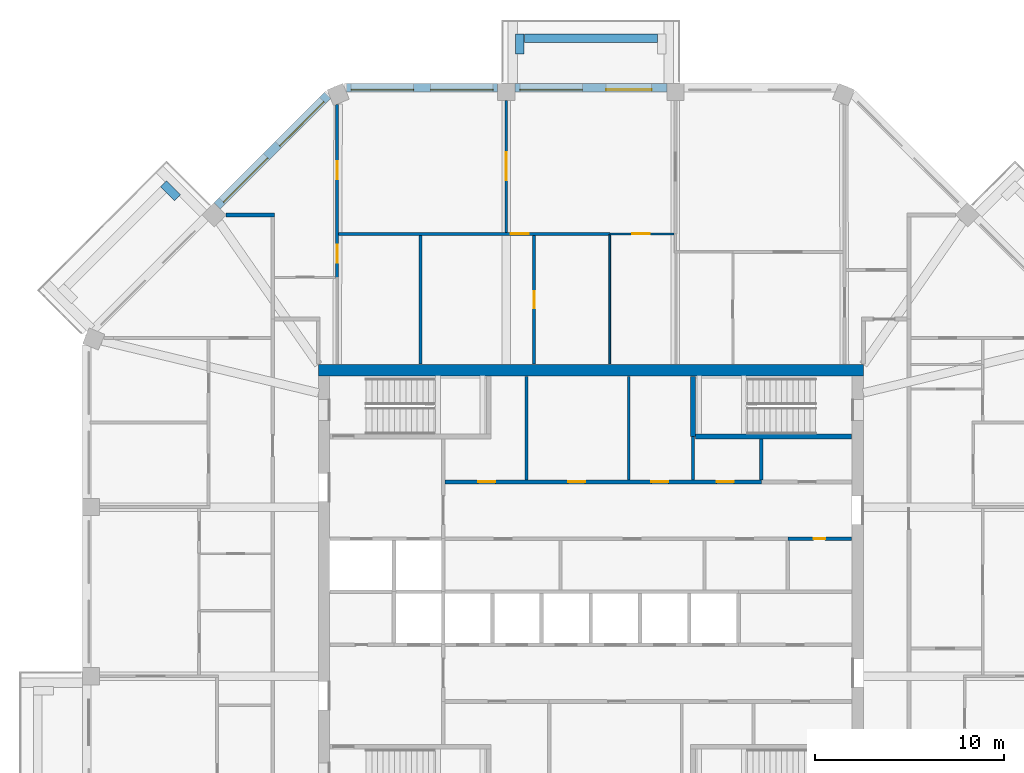
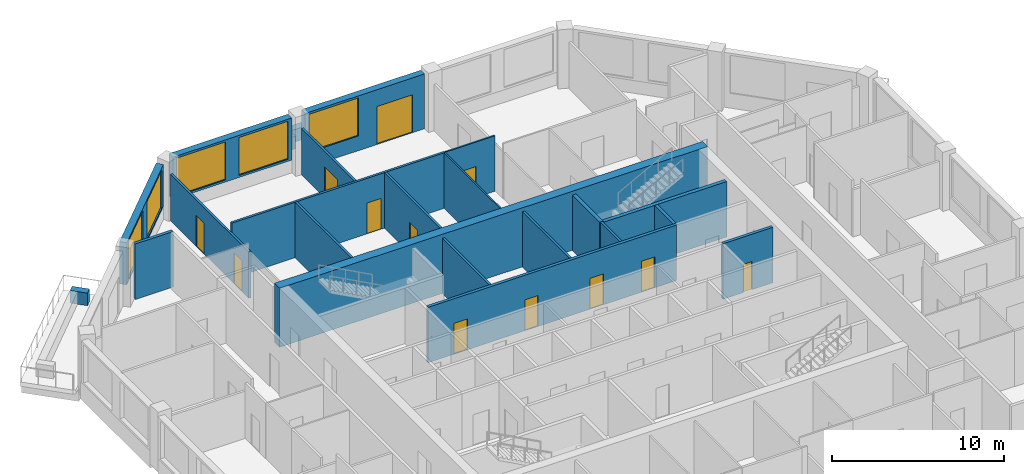
# One storey, part 8 of 11: 23 walls, 12 doors, 5 windows, 17 openings.
"""IFC4 building model written with IfcOpenShell, lengths in metres."""

from ifc_helpers import new_model, si_unit, direction, frame, frame_2d, origin, place, context, subcontext, project, spatial, rectangle, extrude, material, layer, layer_set, type_object, element, fill, save


model = new_model("IFC4")

# Units and contexts
model_context = context("Model", 3, precision=1e-05, world=origin(), true_north=direction((0.0, 1.0)))
body_context = subcontext(model_context, "Body", "Model", "MODEL_VIEW")
ifc_project = project(units=[si_unit("LENGTHUNIT", "METRE"), si_unit("AREAUNIT", "SQUARE_METRE"), si_unit("VOLUMEUNIT", "CUBIC_METRE"), si_unit("PLANEANGLEUNIT", "RADIAN"), si_unit("MASSUNIT", "GRAM", prefix="KILO")], contexts=[model_context])

# Site, building, storey
site_placement = place(None, origin())
site = spatial("IfcSite", under=ifc_project, at=site_placement, CompositionType="ELEMENT")
building_placement = place(site_placement, origin())
building = spatial("IfcBuilding", under=site, at=building_placement, Name="Msitu Wima Residences", CompositionType="ELEMENT")
storey_placement = place(building_placement, frame((0.0, 0.0, 297.89990234375)))
storey = spatial("IfcBuildingStorey", under=building, at=storey_placement, Name="L69", CompositionType="ELEMENT", Elevation=297.89990234375)

# Walls
ifc_material_1 = material(Name="Facing brick")
ifc_layer_1 = layer(ifc_material_1, 0.06494140625, Name="Facing brick")
ifc_material_2 = material(Name="Concrete C40/50", Category="concrete")
ifc_layer_2 = layer(ifc_material_2, 0.156005859375, Name="Concrete C40/50")
ifc_material_3 = material(Name="Waterproofing membrane")
ifc_layer_3 = layer(ifc_material_3, 0.00390625, Name="Waterproofing membrane")
ifc_material_4 = material(Name="Planting soil and planting")
ifc_layer_4 = layer(ifc_material_4, 0.22509765625, Name="Planting soil and planting")
ifc_layer_set_1 = layer_set([ifc_layer_1, ifc_layer_2, ifc_layer_3, ifc_layer_4], Name="Concrete C40/50")
wall_type_1 = type_object("IfcWallType", Name="Balcony planter PLANTER PL450", PredefinedType="USERDEFINED", material=ifc_layer_set_1)
wall_1_placement = place(storey_placement, frame((3.5185546875, 29.22509765625, 0.0), z_axis=(0.0, 0.0, 1.0), x_axis=(-1.0, 0.0, 0.0)))
element("IfcWall", 1, at=wall_1_placement, inside=storey, type_object=wall_type_1, Name="Balcony planter N1 L69", ObjectType="PLANTER", PredefinedType="USERDEFINED", context=body_context, shape_type="SweptSolid", body=[
    extrude(rectangle(XDim=7.037109375, YDim=0.449951171875, at=frame_2d((3.5185546875, 0.0))), origin(), (0.0, 0.0, 1.0), 0.900146484375),
])
for number, where, z_axis, x_axis, name in (
    (2, (-3.74365234375, 28.39990234375, 0.0), (0.0, 0.0, 1.0), (0.0, 1.0, 0.0), "Balcony planter N1 L69"),
    (3, (-21.829833984375, 20.804443359375, 0.0), (0.0, 0.0, 1.0), (-0.707106781187, 0.707106781187, 0.0), "Balcony planter NW1 L69"),
):
    element("IfcWall", number, at=place(storey_placement, frame(where, z_axis=z_axis, x_axis=x_axis)), inside=storey, type_object=wall_type_1, Name=name, ObjectType="PLANTER", PredefinedType="USERDEFINED", context=body_context, shape_type="SweptSolid", body=[
        extrude(rectangle(XDim=1.050048828125, YDim=0.449951171875, at=frame_2d((0.52490234375, 0.0))), origin(), (0.0, 0.0, 1.0), 0.900146484375),
    ])

# Wall, openings, door, window
ifc_material_5 = material(Name="Brick (red buff mix)", Category="masonry")
ifc_layer_5 = layer(ifc_material_5, 0.449951171875)
ifc_layer_set_2 = layer_set([ifc_layer_5], Name="Brick (red buff mix)")
wall_type_2 = type_object("IfcWallType", Name="Brick infill wall BW450", PredefinedType="SOLIDWALL", material=ifc_layer_set_2)
wall_2_placement = place(storey_placement, frame((4.0185546875, 26.625, 0.0), z_axis=(0.0, 0.0, 1.0), x_axis=(-1.0, 0.0, 0.0)))
wall_2 = element("IfcWall", 4, at=wall_2_placement, inside=storey, type_object=wall_type_2, Name="Brick infill wall L69 N1", PredefinedType="SOLIDWALL", context=body_context, shape_type="SweptSolid", body=[
    extrude(rectangle(XDim=8.037109375, YDim=0.449951171875, at=frame_2d((4.0185546875, 0.0))), origin(), (0.0, 0.0, 1.0), 3.900146484375),
])
opening_1_placement = place(wall_2_placement, frame((0.809326171875, 0.0, 0.0)))
opening_1 = element("IfcOpeningElement", 5, at=opening_1_placement, cuts=wall_2, Name="Opening D68-70.002", PredefinedType="OPENING", context=body_context, shape_type="SweptSolid", body=[
    extrude(rectangle(XDim=2.39990234375, YDim=2.699951171875, at=frame_2d((1.199951171875, 1.35009765625))), frame((0.0, 0.23486328125, 0.0), z_axis=(0.0, -1.0, 0.0), x_axis=(1.0, 0.0, 0.0)), (0.0, 0.0, 1.0), 0.469970703125),
])
opening_2_placement = place(wall_2_placement, frame((4.46875, 0.0, 1.050048828125)))
opening_2 = element("IfcOpeningElement", 6, at=opening_2_placement, cuts=wall_2, Name="Opening W68-70.008", PredefinedType="OPENING", context=body_context, shape_type="SweptSolid", body=[
    extrude(rectangle(XDim=3.300048828125, YDim=2.699951171875, at=frame_2d((1.64990234375, 1.35009765625))), frame((0.0, 0.23486328125, 0.0), z_axis=(0.0, -1.0, 0.0), x_axis=(1.0, 0.0, 0.0)), (0.0, 0.0, 1.0), 0.469970703125),
])
ifc_material_6 = material(Name="Anodised aluminium, bronze finish, clear low-emissivity double glazing", Category="aluminium")
door_type_1 = type_object("IfcDoorType", Name="Balcony door D2400x2700", OperationType="SLIDING_TO_LEFT", PredefinedType="DOOR", material=ifc_material_6)
door_1_placement = place(opening_1_placement, origin())
door_1 = element("IfcDoor", 7, at=door_1_placement, inside=storey, type_object=door_type_1, Name="Balcony door L69 N1", OperationType="SINGLE_SWING_LEFT", OverallHeight=2.699951171875, OverallWidth=2.39990234375, PredefinedType="DOOR", context=body_context, shape_type="SweptSolid", body=[
    extrude(rectangle(XDim=2.39990234375, YDim=2.699951171875, at=frame_2d((1.199951171875, 1.35009765625))), frame((0.0, 0.1298828125, 0.0), z_axis=(0.0, -1.0, 0.0), x_axis=(1.0, 0.0, 0.0)), (0.0, 0.0, 1.0), 0.050048828125),
])
fill(opening_1, door_1)
window_type = type_object("IfcWindowType", Name="Window W3300x2700", PartitioningType="DOUBLE_PANEL_VERTICAL", PredefinedType="WINDOW", material=ifc_material_6)
window_1_placement = place(opening_2_placement, origin())
window_1 = element("IfcWindow", 8, at=window_1_placement, inside=storey, type_object=window_type, Name="Window L69 N1.2", OverallHeight=2.699951171875, OverallWidth=3.300048828125, PartitioningType="SINGLE_PANEL", PredefinedType="WINDOW", context=body_context, shape_type="SweptSolid", body=[
    extrude(rectangle(XDim=3.300048828125, YDim=2.699951171875, at=frame_2d((1.64990234375, 1.35009765625))), frame((0.0, 0.135009765625, 0.0), z_axis=(0.0, -1.0, 0.0), x_axis=(1.0, 0.0, 0.0)), (0.0, 0.0, 1.0), 0.06005859375),
])
fill(opening_2, window_1)

# Wall, openings, windows
wall_3_placement = place(storey_placement, frame((-4.918701171875, 26.625, 0.900146484375), z_axis=(0.0, 0.0, 1.0), x_axis=(-1.0, 0.0, 0.0)))
wall_3 = element("IfcWall", 9, at=wall_3_placement, inside=storey, type_object=wall_type_2, Name="Brick infill wall L69 N2", PredefinedType="SOLIDWALL", context=body_context, shape_type="SweptSolid", body=[
    extrude(rectangle(XDim=8.0, YDim=0.449951171875, at=frame_2d((4.0, 0.0))), origin(), (0.0, 0.0, 1.0), 3.0),
])
opening_3_placement = place(wall_3_placement, frame((0.25, 0.0, 0.14990234375)))
opening_3 = element("IfcOpeningElement", 10, at=opening_3_placement, cuts=wall_3, Name="Opening W68-70.009", PredefinedType="OPENING", context=body_context, shape_type="SweptSolid", body=[
    extrude(rectangle(XDim=3.300048828125, YDim=2.699951171875, at=frame_2d((1.64990234375, 1.35009765625))), frame((0.0, 0.23486328125, 0.0), z_axis=(0.0, -1.0, 0.0), x_axis=(1.0, 0.0, 0.0)), (0.0, 0.0, 1.0), 0.469970703125),
])
opening_4_placement = place(wall_3_placement, frame((4.4501953125, 0.0, 0.14990234375)))
opening_4 = element("IfcOpeningElement", 11, at=opening_4_placement, cuts=wall_3, Name="Opening W68-70.010", PredefinedType="OPENING", context=body_context, shape_type="SweptSolid", body=[
    extrude(rectangle(XDim=3.300048828125, YDim=2.699951171875, at=frame_2d((1.64990234375, 1.35009765625))), frame((0.0, 0.23486328125, 0.0), z_axis=(0.0, -1.0, 0.0), x_axis=(1.0, 0.0, 0.0)), (0.0, 0.0, 1.0), 0.469970703125),
])
window_2_placement = place(opening_3_placement, origin())
window_2 = element("IfcWindow", 12, at=window_2_placement, inside=storey, type_object=window_type, Name="Window L69 N2.1", OverallHeight=2.699951171875, OverallWidth=3.300048828125, PartitioningType="SINGLE_PANEL", PredefinedType="WINDOW", context=body_context, shape_type="SweptSolid", body=[
    extrude(rectangle(XDim=3.300048828125, YDim=2.699951171875, at=frame_2d((1.64990234375, 1.35009765625))), frame((0.0, 0.135009765625, 0.0), z_axis=(0.0, -1.0, 0.0), x_axis=(1.0, 0.0, 0.0)), (0.0, 0.0, 1.0), 0.06005859375),
])
fill(opening_3, window_2)
window_3_placement = place(opening_4_placement, origin())
window_3 = element("IfcWindow", 13, at=window_3_placement, inside=storey, type_object=window_type, Name="Window L69 N2.2", OverallHeight=2.699951171875, OverallWidth=3.300048828125, PartitioningType="SINGLE_PANEL", PredefinedType="WINDOW", context=body_context, shape_type="SweptSolid", body=[
    extrude(rectangle(XDim=3.300048828125, YDim=2.699951171875, at=frame_2d((1.64990234375, 1.35009765625))), frame((0.0, 0.135009765625, 0.0), z_axis=(0.0, -1.0, 0.0), x_axis=(1.0, 0.0, 0.0)), (0.0, 0.0, 1.0), 0.06005859375),
])
fill(opening_4, window_3)

wall_4_placement = place(storey_placement, frame((-13.909423828125, 26.214599609375, 0.900146484375), z_axis=(0.0, 0.0, 1.0), x_axis=(-0.707106781187, -0.707106781187, 0.0)))
wall_4 = element("IfcWall", 14, at=wall_4_placement, inside=storey, type_object=wall_type_2, Name="Brick infill wall L69 NW0", PredefinedType="SOLIDWALL", context=body_context, shape_type="SweptSolid", body=[
    extrude(rectangle(XDim=8.251220703125, YDim=0.449951171875, at=frame_2d((4.12548828125, 0.0))), origin(), (0.0, 0.0, 1.0), 3.0),
])
opening_5_placement = place(wall_4_placement, frame((0.37548828125, 0.0, 0.14990234375)))
opening_5 = element("IfcOpeningElement", 15, at=opening_5_placement, cuts=wall_4, Name="Opening W68-70.014", PredefinedType="OPENING", context=body_context, shape_type="SweptSolid", body=[
    extrude(rectangle(XDim=3.300048828125, YDim=2.699951171875, at=frame_2d((1.64990234375, 1.35009765625))), frame((0.0, 0.23486328125, 0.0), z_axis=(0.0, -1.0, 0.0), x_axis=(1.0, 0.0, 0.0)), (0.0, 0.0, 1.0), 0.469970703125),
])
opening_6_placement = place(wall_4_placement, frame((4.57568359375, 0.0, 0.14990234375)))
opening_6 = element("IfcOpeningElement", 16, at=opening_6_placement, cuts=wall_4, Name="Opening W68-70.015", PredefinedType="OPENING", context=body_context, shape_type="SweptSolid", body=[
    extrude(rectangle(XDim=3.300048828125, YDim=2.699951171875, at=frame_2d((1.64990234375, 1.35009765625))), frame((0.0, 0.23486328125, 0.0), z_axis=(0.0, -1.0, 0.0), x_axis=(1.0, 0.0, 0.0)), (0.0, 0.0, 1.0), 0.469970703125),
])
window_4_placement = place(opening_5_placement, origin())
window_4 = element("IfcWindow", 17, at=window_4_placement, inside=storey, type_object=window_type, Name="Window L69 NW0.1", OverallHeight=2.699951171875, OverallWidth=3.300048828125, PartitioningType="SINGLE_PANEL", PredefinedType="WINDOW", context=body_context, shape_type="SweptSolid", body=[
    extrude(rectangle(XDim=3.300048828125, YDim=2.699951171875, at=frame_2d((1.64990234375, 1.35009765625))), frame((0.0, 0.135009765625, 0.0), z_axis=(0.0, -1.0, 0.0), x_axis=(1.0, 0.0, 0.0)), (0.0, 0.0, 1.0), 0.06005859375),
])
fill(opening_5, window_4)
window_5_placement = place(opening_6_placement, origin())
window_5 = element("IfcWindow", 18, at=window_5_placement, inside=storey, type_object=window_type, Name="Window L69 NW0.2", OverallHeight=2.699951171875, OverallWidth=3.300048828125, PartitioningType="SINGLE_PANEL", PredefinedType="WINDOW", context=body_context, shape_type="SweptSolid", body=[
    extrude(rectangle(XDim=3.300048828125, YDim=2.699951171875, at=frame_2d((1.64990234375, 1.35009765625))), frame((0.0, 0.135009765625, 0.0), z_axis=(0.0, -1.0, 0.0), x_axis=(1.0, 0.0, 0.0)), (0.0, 0.0, 1.0), 0.06005859375),
])
fill(opening_6, window_5)

# Wall
ifc_material_7 = material(Name="Concrete C50/60", Category="concrete")
ifc_layer_6 = layer(ifc_material_7, 0.60009765625)
ifc_layer_set_3 = layer_set([ifc_layer_6], Name="Concrete C50/60")
wall_type_3 = type_object("IfcWallType", Name="Core wall CW600 C50/60", PredefinedType="SHEAR", material=ifc_layer_set_3)
wall_5_placement = place(storey_placement, frame((-14.39990234375, 11.699951171875, 0.0), z_axis=(0.0, 0.0, 1.0), x_axis=(1.0, 0.0, 0.0)))
element("IfcWall", 19, at=wall_5_placement, inside=storey, type_object=wall_type_3, Name="Core wall", PredefinedType="SHEAR", context=body_context, shape_type="SweptSolid", body=[
    extrude(rectangle(XDim=28.7998046875, YDim=0.60009765625, at=frame_2d((14.39990234375, 0.0))), origin(), (0.0, 0.0, 1.0), 4.2001953125),
])

# Wall, openings, doors
ifc_material_8 = material(Name="Plaster")
ifc_layer_7 = layer(ifc_material_8, 0.011962890625, Name="Plaster")
ifc_material_9 = material(Name="Concrete blockwork", Category="masonry")
ifc_layer_8 = layer(ifc_material_9, 0.176025390625, Name="Concrete blockwork")
ifc_layer_9 = layer(ifc_material_8, 0.011962890625, Name="Plaster")
ifc_layer_set_4 = layer_set([ifc_layer_7, ifc_layer_8, ifc_layer_9], Name="Concrete blockwork")
wall_type_4 = type_object("IfcWallType", Name="Corridor wall FW200", PredefinedType="PARTITIONING", material=ifc_layer_set_4)
wall_6_placement = place(storey_placement, frame((-7.699951171875, 5.800048828125, 0.0), z_axis=(0.0, 0.0, 1.0), x_axis=(1.0, 0.0, 0.0)))
wall_6 = element("IfcWall", 20, at=wall_6_placement, inside=storey, type_object=wall_type_4, Name="Corridor wall", PredefinedType="PARTITIONING", context=body_context, shape_type="SweptSolid", body=[
    extrude(rectangle(XDim=16.719970703125, YDim=0.199951171875, at=frame_2d((8.35986328125, 0.0))), origin(), (0.0, 0.0, 1.0), 3.9501953125),
])
opening_7_placement = place(wall_6_placement, frame((1.75, 0.0, 0.0)))
opening_7 = element("IfcOpeningElement", 21, at=opening_7_placement, cuts=wall_6, Name="Opening D68-70.062", PredefinedType="OPENING", context=body_context, shape_type="SweptSolid", body=[
    extrude(rectangle(XDim=0.89990234375, YDim=2.199951171875, at=frame_2d((0.449951171875, 1.10009765625))), frame((0.0, 0.10986328125, 0.0), z_axis=(0.0, -1.0, 0.0), x_axis=(1.0, 0.0, 0.0)), (0.0, 0.0, 1.0), 0.219970703125),
])
opening_8_placement = place(wall_6_placement, frame((6.5, 0.0, 0.0)))
opening_8 = element("IfcOpeningElement", 22, at=opening_8_placement, cuts=wall_6, Name="Opening D68-70.063", PredefinedType="OPENING", context=body_context, shape_type="SweptSolid", body=[
    extrude(rectangle(XDim=0.89990234375, YDim=2.199951171875, at=frame_2d((0.449951171875, 1.10009765625))), frame((0.0, 0.10986328125, 0.0), z_axis=(0.0, -1.0, 0.0), x_axis=(1.0, 0.0, 0.0)), (0.0, 0.0, 1.0), 0.219970703125),
])
opening_9_placement = place(wall_6_placement, frame((10.89990234375, 0.0, 0.0)))
opening_9 = element("IfcOpeningElement", 23, at=opening_9_placement, cuts=wall_6, Name="Opening D68-70.064", PredefinedType="OPENING", context=body_context, shape_type="SweptSolid", body=[
    extrude(rectangle(XDim=0.89990234375, YDim=2.199951171875, at=frame_2d((0.449951171875, 1.10009765625))), frame((0.0, 0.10986328125, 0.0), z_axis=(0.0, -1.0, 0.0), x_axis=(1.0, 0.0, 0.0)), (0.0, 0.0, 1.0), 0.219970703125),
])
opening_10_placement = place(wall_6_placement, frame((14.35009765625, 0.0, 0.0)))
opening_10 = element("IfcOpeningElement", 24, at=opening_10_placement, cuts=wall_6, Name="Opening D68-70.065", PredefinedType="OPENING", context=body_context, shape_type="SweptSolid", body=[
    extrude(rectangle(XDim=0.89990234375, YDim=2.199951171875, at=frame_2d((0.449951171875, 1.10009765625))), frame((0.0, 0.10986328125, 0.0), z_axis=(0.0, -1.0, 0.0), x_axis=(1.0, 0.0, 0.0)), (0.0, 0.0, 1.0), 0.219970703125),
])
ifc_material_10 = material(Name="Timber flush door", Category="wood")
door_type_2 = type_object("IfcDoorType", Name="Service door D05 900x2200", OperationType="SINGLE_SWING_LEFT", PredefinedType="DOOR", material=ifc_material_10)
door_2_placement = place(opening_7_placement, origin())
door_2 = element("IfcDoor", 25, at=door_2_placement, inside=storey, type_object=door_type_2, Name="Service door", OperationType="SINGLE_SWING_RIGHT", OverallHeight=2.199951171875, OverallWidth=0.89990234375, PredefinedType="DOOR", context=body_context, shape_type="SweptSolid", body=[
    extrude(rectangle(XDim=0.89990234375, YDim=2.199951171875, at=frame_2d((0.449951171875, 1.10009765625))), frame((0.0, 0.02490234375, 0.0), z_axis=(0.0, -1.0, 0.0), x_axis=(1.0, 0.0, 0.0)), (0.0, 0.0, 1.0), 0.050048828125),
])
fill(opening_7, door_2)
door_3_placement = place(opening_8_placement, origin())
door_3 = element("IfcDoor", 26, at=door_3_placement, inside=storey, type_object=door_type_2, Name="Service door", OperationType="SINGLE_SWING_LEFT", OverallHeight=2.199951171875, OverallWidth=0.89990234375, PredefinedType="DOOR", context=body_context, shape_type="SweptSolid", body=[
    extrude(rectangle(XDim=0.89990234375, YDim=2.199951171875, at=frame_2d((0.449951171875, 1.10009765625))), frame((0.0, 0.02490234375, 0.0), z_axis=(0.0, -1.0, 0.0), x_axis=(1.0, 0.0, 0.0)), (0.0, 0.0, 1.0), 0.050048828125),
])
fill(opening_8, door_3)
door_4_placement = place(opening_9_placement, origin())
door_4 = element("IfcDoor", 27, at=door_4_placement, inside=storey, type_object=door_type_2, Name="Service door", OperationType="SINGLE_SWING_LEFT", OverallHeight=2.199951171875, OverallWidth=0.89990234375, PredefinedType="DOOR", context=body_context, shape_type="SweptSolid", body=[
    extrude(rectangle(XDim=0.89990234375, YDim=2.199951171875, at=frame_2d((0.449951171875, 1.10009765625))), frame((0.0, 0.02490234375, 0.0), z_axis=(0.0, -1.0, 0.0), x_axis=(1.0, 0.0, 0.0)), (0.0, 0.0, 1.0), 0.050048828125),
])
fill(opening_9, door_4)
door_5_placement = place(opening_10_placement, origin())
door_5 = element("IfcDoor", 28, at=door_5_placement, inside=storey, type_object=door_type_2, Name="Service door", OperationType="SINGLE_SWING_LEFT", OverallHeight=2.199951171875, OverallWidth=0.89990234375, PredefinedType="DOOR", context=body_context, shape_type="SweptSolid", body=[
    extrude(rectangle(XDim=0.89990234375, YDim=2.199951171875, at=frame_2d((0.449951171875, 1.10009765625))), frame((0.0, 0.02490234375, 0.0), z_axis=(0.0, -1.0, 0.0), x_axis=(1.0, 0.0, 0.0)), (0.0, 0.0, 1.0), 0.050048828125),
])
fill(opening_10, door_5)

# Wall, opening, door
ifc_layer_10 = layer(ifc_material_8, 0.011962890625, Name="Plaster")
ifc_layer_11 = layer(ifc_material_9, 0.1259765625, Name="Concrete blockwork")
ifc_layer_12 = layer(ifc_material_8, 0.011962890625, Name="Plaster")
ifc_layer_set_5 = layer_set([ifc_layer_10, ifc_layer_11, ifc_layer_12], Name="Concrete blockwork")
wall_type_5 = type_object("IfcWallType", Name="Partition PW150", PredefinedType="PARTITIONING", material=ifc_layer_set_5)
wall_7_placement = place(storey_placement, frame((-13.330810546875, 18.89990234375, 0.0), z_axis=(0.0, 0.0, 1.0), x_axis=(1.0, 0.0, 0.0)))
wall_7 = element("IfcWall", 29, at=wall_7_placement, inside=storey, type_object=wall_type_5, Name="Partition", PredefinedType="PARTITIONING", context=body_context, shape_type="SweptSolid", body=[
    extrude(rectangle(XDim=14.330810546875, YDim=0.14990234375, at=frame_2d((7.16552734375, 0.0))), origin(), (0.0, 0.0, 1.0), 3.9501953125),
])
opening_11_placement = place(wall_7_placement, frame((9.10009765625, 0.0, 0.0)))
opening_11 = element("IfcOpeningElement", 30, at=opening_11_placement, cuts=wall_7, Name="Opening D68-70.030", PredefinedType="OPENING", context=body_context, shape_type="SweptSolid", body=[
    extrude(rectangle(XDim=0.949951171875, YDim=2.199951171875, at=frame_2d((0.47509765625, 1.10009765625))), frame((0.0, 0.0849609375, 0.0), z_axis=(0.0, -1.0, 0.0), x_axis=(1.0, 0.0, 0.0)), (0.0, 0.0, 1.0), 0.169921875),
])
door_type_3 = type_object("IfcDoorType", Name="Room door D12 950x2200", OperationType="SINGLE_SWING_LEFT", PredefinedType="DOOR", material=ifc_material_10)
door_6_placement = place(opening_11_placement, origin())
door_6 = element("IfcDoor", 31, at=door_6_placement, inside=storey, type_object=door_type_3, Name="Room door", OperationType="SINGLE_SWING_LEFT", OverallHeight=2.199951171875, OverallWidth=0.949951171875, PredefinedType="DOOR", context=body_context, shape_type="SweptSolid", body=[
    extrude(rectangle(XDim=0.949951171875, YDim=2.199951171875, at=frame_2d((0.47509765625, 1.10009765625))), frame((0.0, 0.02490234375, 0.0), z_axis=(0.0, -1.0, 0.0), x_axis=(1.0, 0.0, 0.0)), (0.0, 0.0, 1.0), 0.050048828125),
])
fill(opening_11, door_6)

# Wall, openings, doors
wall_8_placement = place(storey_placement, frame((-13.406005859375, 25.731201171875, 0.0), z_axis=(0.0, 0.0, 1.0), x_axis=(0.0, -1.0, 0.0)))
wall_8 = element("IfcWall", 32, at=wall_8_placement, inside=storey, type_object=wall_type_5, Name="Partition", PredefinedType="PARTITIONING", context=body_context, shape_type="SweptSolid", body=[
    extrude(rectangle(XDim=9.131103515625, YDim=0.14990234375, at=frame_2d((4.5654296875, 0.0))), origin(), (0.0, 0.0, 1.0), 3.300048828125),
])
opening_12_placement = place(wall_8_placement, frame((3.0, 0.0, 0.0)))
opening_12 = element("IfcOpeningElement", 33, at=opening_12_placement, cuts=wall_8, Name="Opening D68-70.023", PredefinedType="OPENING", context=body_context, shape_type="SweptSolid", body=[
    extrude(rectangle(XDim=0.949951171875, YDim=2.199951171875, at=frame_2d((0.47509765625, 1.10009765625))), frame((0.0, 0.0849609375, 0.0), z_axis=(0.0, -1.0, 0.0), x_axis=(1.0, 0.0, 0.0)), (0.0, 0.0, 1.0), 0.169921875),
])
opening_13_placement = place(wall_8_placement, frame((7.39990234375, 0.0, 0.0)))
opening_13 = element("IfcOpeningElement", 34, at=opening_13_placement, cuts=wall_8, Name="Opening D68-70.024", PredefinedType="OPENING", context=body_context, shape_type="SweptSolid", body=[
    extrude(rectangle(XDim=0.949951171875, YDim=2.199951171875, at=frame_2d((0.47509765625, 1.10009765625))), frame((0.0, 0.0849609375, 0.0), z_axis=(0.0, -1.0, 0.0), x_axis=(1.0, 0.0, 0.0)), (0.0, 0.0, 1.0), 0.169921875),
])
door_7_placement = place(opening_12_placement, origin())
door_7 = element("IfcDoor", 35, at=door_7_placement, inside=storey, type_object=door_type_3, Name="Room door", OperationType="SINGLE_SWING_RIGHT", OverallHeight=2.199951171875, OverallWidth=0.949951171875, PredefinedType="DOOR", context=body_context, shape_type="SweptSolid", body=[
    extrude(rectangle(XDim=0.949951171875, YDim=2.199951171875, at=frame_2d((0.47509765625, 1.10009765625))), frame((0.0, 0.02490234375, 0.0), z_axis=(0.0, -1.0, 0.0), x_axis=(1.0, 0.0, 0.0)), (0.0, 0.0, 1.0), 0.050048828125),
])
fill(opening_12, door_7)
door_8_placement = place(opening_13_placement, origin())
door_8 = element("IfcDoor", 36, at=door_8_placement, inside=storey, type_object=door_type_3, Name="Room door", OperationType="SINGLE_SWING_LEFT", OverallHeight=2.199951171875, OverallWidth=0.949951171875, PredefinedType="DOOR", context=body_context, shape_type="SweptSolid", body=[
    extrude(rectangle(XDim=0.949951171875, YDim=2.199951171875, at=frame_2d((0.47509765625, 1.10009765625))), frame((0.0, 0.02490234375, 0.0), z_axis=(0.0, -1.0, 0.0), x_axis=(1.0, 0.0, 0.0)), (0.0, 0.0, 1.0), 0.050048828125),
])
fill(opening_13, door_8)

# Wall
wall_9_placement = place(storey_placement, frame((-9.0, 12.030029296875, 0.0), z_axis=(0.0, 0.0, 1.0), x_axis=(0.0, 1.0, 0.0)))
element("IfcWall", 37, at=wall_9_placement, inside=storey, type_object=wall_type_5, Name="Partition", PredefinedType="PARTITIONING", context=body_context, shape_type="SweptSolid", body=[
    extrude(rectangle(XDim=6.794921875, YDim=0.14990234375, at=frame_2d((3.3974609375, 0.0))), origin(), (0.0, 0.0, 1.0), 3.9501953125),
])

# Wall, opening, door
wall_10_placement = place(storey_placement, frame((-4.46875, 18.97509765625, 0.0), z_axis=(0.0, 0.0, 1.0), x_axis=(0.0, 1.0, 0.0)))
wall_10 = element("IfcWall", 38, at=wall_10_placement, inside=storey, type_object=wall_type_5, Name="Partition", PredefinedType="PARTITIONING", context=body_context, shape_type="SweptSolid", body=[
    extrude(rectangle(XDim=6.974853515625, YDim=0.14990234375, at=frame_2d((3.4873046875, 0.0))), origin(), (0.0, 0.0, 1.0), 3.300048828125),
])
opening_14_placement = place(wall_10_placement, frame((2.75, 0.0, 0.0)))
opening_14 = element("IfcOpeningElement", 39, at=opening_14_placement, cuts=wall_10, Name="Opening D68-70.033", PredefinedType="OPENING", context=body_context, shape_type="SweptSolid", body=[
    extrude(rectangle(XDim=1.5, YDim=2.199951171875, at=frame_2d((0.75, 1.10009765625))), frame((0.0, 0.0849609375, 0.0), z_axis=(0.0, -1.0, 0.0), x_axis=(1.0, 0.0, 0.0)), (0.0, 0.0, 1.0), 0.169921875),
])
ifc_material_11 = material(Name="Timber double door", Category="wood")
door_type_4 = type_object("IfcDoorType", Name="Double door D04 1500x2200", OperationType="DOUBLE_DOOR_SINGLE_SWING", PredefinedType="DOOR", material=ifc_material_11)
door_9_placement = place(opening_14_placement, origin())
door_9 = element("IfcDoor", 40, at=door_9_placement, inside=storey, type_object=door_type_4, Name="Double door", OperationType="DOUBLE_DOOR_SINGLE_SWING", OverallHeight=2.199951171875, OverallWidth=1.5, PredefinedType="DOOR", context=body_context, shape_type="SweptSolid", body=[
    extrude(rectangle(XDim=1.5, YDim=2.199951171875, at=frame_2d((0.75, 1.10009765625))), frame((0.0, 0.02490234375, 0.0), z_axis=(0.0, -1.0, 0.0), x_axis=(1.0, 0.0, 0.0)), (0.0, 0.0, 1.0), 0.050048828125),
])
fill(opening_14, door_9)

# Wall
wall_11_placement = place(storey_placement, frame((-3.39990234375, 5.89990234375, 0.0), z_axis=(0.0, 0.0, 1.0), x_axis=(0.0, 1.0, 0.0)))
element("IfcWall", 41, at=wall_11_placement, inside=storey, type_object=wall_type_5, Name="Partition", PredefinedType="PARTITIONING", context=body_context, shape_type="SweptSolid", body=[
    extrude(rectangle(XDim=5.47021484375, YDim=0.14990234375, at=frame_2d((2.735107421875, 0.0))), origin(), (0.0, 0.0, 1.0), 3.9501953125),
])

# Wall, opening, door
wall_12_placement = place(storey_placement, frame((-3.0, 12.030029296875, 0.0), z_axis=(0.0, 0.0, 1.0), x_axis=(0.0, 1.0, 0.0)))
wall_12 = element("IfcWall", 42, at=wall_12_placement, inside=storey, type_object=wall_type_5, Name="Partition", PredefinedType="PARTITIONING", context=body_context, shape_type="SweptSolid", body=[
    extrude(rectangle(XDim=6.794921875, YDim=0.14990234375, at=frame_2d((3.3974609375, 0.0))), origin(), (0.0, 0.0, 1.0), 3.9501953125),
])
opening_15_placement = place(wall_12_placement, frame((2.949951171875, 0.0, 0.0)))
opening_15 = element("IfcOpeningElement", 43, at=opening_15_placement, cuts=wall_12, Name="Opening D68-70.031", PredefinedType="OPENING", context=body_context, shape_type="SweptSolid", body=[
    extrude(rectangle(XDim=0.89990234375, YDim=2.199951171875, at=frame_2d((0.449951171875, 1.10009765625))), frame((0.0, 0.0849609375, 0.0), z_axis=(0.0, -1.0, 0.0), x_axis=(1.0, 0.0, 0.0)), (0.0, 0.0, 1.0), 0.169921875),
])
door_10_placement = place(opening_15_placement, origin())
door_10 = element("IfcDoor", 44, at=door_10_placement, inside=storey, type_object=door_type_2, Name="Service door", OperationType="SINGLE_SWING_RIGHT", OverallHeight=2.199951171875, OverallWidth=0.89990234375, PredefinedType="DOOR", context=body_context, shape_type="SweptSolid", body=[
    extrude(rectangle(XDim=0.89990234375, YDim=2.199951171875, at=frame_2d((0.449951171875, 1.10009765625))), frame((0.0, 0.02490234375, 0.0), z_axis=(0.0, -1.0, 0.0), x_axis=(1.0, 0.0, 0.0)), (0.0, 0.0, 1.0), 0.050048828125),
])
fill(opening_15, door_10)

# Walls
wall_13_placement = place(storey_placement, frame((2.0, 5.89990234375, 0.0), z_axis=(0.0, 0.0, 1.0), x_axis=(0.0, 1.0, 0.0)))
element("IfcWall", 45, at=wall_13_placement, inside=storey, type_object=wall_type_5, Name="Partition", PredefinedType="PARTITIONING", context=body_context, shape_type="SweptSolid", body=[
    extrude(rectangle(XDim=5.47021484375, YDim=0.14990234375, at=frame_2d((2.735107421875, 0.0))), origin(), (0.0, 0.0, 1.0), 3.9501953125),
])
wall_14_placement = place(storey_placement, frame((5.39990234375, 5.89990234375, 0.0), z_axis=(0.0, 0.0, 1.0), x_axis=(0.0, 1.0, 0.0)))
element("IfcWall", 46, at=wall_14_placement, inside=storey, type_object=wall_type_5, Name="Partition", PredefinedType="PARTITIONING", context=body_context, shape_type="SweptSolid", body=[
    extrude(rectangle(XDim=2.300048828125, YDim=0.14990234375, at=frame_2d((1.14990234375, 0.0))), origin(), (0.0, 0.0, 1.0), 3.9501953125),
])
ifc_layer_13 = layer(ifc_material_8, 0.011962890625, Name="Plaster")
ifc_material_12 = material(Name="Dense concrete blockwork", Category="masonry")
ifc_layer_14 = layer(ifc_material_12, 0.176025390625, Name="Dense concrete blockwork")
ifc_layer_15 = layer(ifc_material_8, 0.011962890625, Name="Plaster")
ifc_layer_set_6 = layer_set([ifc_layer_13, ifc_layer_14, ifc_layer_15], Name="Dense concrete blockwork")
wall_type_6 = type_object("IfcWallType", Name="Party wall PW200", PredefinedType="PARTITIONING", material=ifc_layer_set_6)
wall_15_placement = place(storey_placement, frame((-19.2666015625, 19.90283203125, 0.0), z_axis=(0.0, 0.0, 1.0), x_axis=(1.0, 0.0, 0.0)))
element("IfcWall", 47, at=wall_15_placement, inside=storey, type_object=wall_type_6, Name="Party wall", PredefinedType="PARTITIONING", context=body_context, shape_type="SweptSolid", body=[
    extrude(rectangle(XDim=2.566650390625, YDim=0.199951171875, at=frame_2d((1.283203125, 0.0))), origin(), (0.0, 0.0, 1.0), 3.9501953125),
])
ifc_layer_16 = layer(ifc_material_8, 0.011962890625, Name="Plaster")
ifc_material_13 = material(Name="Reinforced concrete blockwork", Category="masonry")
ifc_layer_17 = layer(ifc_material_13, 0.176025390625, Name="Reinforced concrete blockwork")
ifc_layer_18 = layer(ifc_material_8, 0.011962890625, Name="Plaster")
ifc_layer_set_7 = layer_set([ifc_layer_16, ifc_layer_17, ifc_layer_18], Name="Reinforced concrete blockwork")
wall_type_7 = type_object("IfcWallType", Name="Plant and riser wall PL200", PredefinedType="PARTITIONING", material=ifc_layer_set_7)
wall_16_placement = place(storey_placement, frame((9.0, 5.89990234375, 0.0), z_axis=(0.0, 0.0, 1.0), x_axis=(0.0, 1.0, 0.0)))
element("IfcWall", 48, at=wall_16_placement, inside=storey, type_object=wall_type_7, Name="Plant and riser wall", PredefinedType="PARTITIONING", context=body_context, shape_type="SweptSolid", body=[
    extrude(rectangle(XDim=2.175048828125, YDim=0.199951171875, at=frame_2d((1.08740234375, 0.0))), origin(), (0.0, 0.0, 1.0), 3.9501953125),
])

# Wall, opening, door
wall_17_placement = place(storey_placement, frame((10.419921875, 2.800048828125, 0.0), z_axis=(0.0, 0.0, 1.0), x_axis=(1.0, 0.0, 0.0)))
wall_17 = element("IfcWall", 49, at=wall_17_placement, inside=storey, type_object=wall_type_7, Name="Plant and riser wall", PredefinedType="PARTITIONING", context=body_context, shape_type="SweptSolid", body=[
    extrude(rectangle(XDim=3.35009765625, YDim=0.199951171875, at=frame_2d((1.675048828125, 0.0))), origin(), (0.0, 0.0, 1.0), 3.9501953125),
])
opening_16_placement = place(wall_17_placement, frame((1.35009765625, 0.0, 0.0)))
opening_16 = element("IfcOpeningElement", 50, at=opening_16_placement, cuts=wall_17, Name="Opening D68-70.076", PredefinedType="OPENING", context=body_context, shape_type="SweptSolid", body=[
    extrude(rectangle(XDim=0.60009765625, YDim=2.0, at=frame_2d((0.300048828125, 1.0))), frame((0.0, 0.10986328125, 0.0), z_axis=(0.0, -1.0, 0.0), x_axis=(1.0, 0.0, 0.0)), (0.0, 0.0, 1.0), 0.219970703125),
])
ifc_material_14 = material(Name="Steel access door, fire resisting", Category="steel")
door_type_5 = type_object("IfcDoorType", Name="Riser access door D08 600x2000", OperationType="SINGLE_SWING_LEFT", PredefinedType="DOOR", material=ifc_material_14)
door_11_placement = place(opening_16_placement, origin())
door_11 = element("IfcDoor", 51, at=door_11_placement, inside=storey, type_object=door_type_5, Name="Riser access door", OperationType="SINGLE_SWING_RIGHT", OverallHeight=2.0, OverallWidth=0.60009765625, PredefinedType="DOOR", context=body_context, shape_type="SweptSolid", body=[
    extrude(rectangle(XDim=0.60009765625, YDim=2.0, at=frame_2d((0.300048828125, 1.0))), frame((0.0, 0.02490234375, 0.0), z_axis=(0.0, -1.0, 0.0), x_axis=(1.0, 0.0, 0.0)), (0.0, 0.0, 1.0), 0.050048828125),
])
fill(opening_16, door_11)

# Walls
ifc_layer_19 = layer(ifc_material_7, 0.25)
ifc_layer_set_8 = layer_set([ifc_layer_19], Name="Concrete C50/60")
wall_type_8 = type_object("IfcWallType", Name="Stair enclosure wall SW250", PredefinedType="SHEAR", material=ifc_layer_set_8)
wall_18_placement = place(storey_placement, frame((5.39990234375, 8.199951171875, 0.0), z_axis=(0.0, 0.0, 1.0), x_axis=(0.0, 1.0, 0.0)))
element("IfcWall", 52, at=wall_18_placement, inside=storey, type_object=wall_type_8, Name="Stair enclosure wall", PredefinedType="SHEAR", context=body_context, shape_type="SweptSolid", body=[
    extrude(rectangle(XDim=3.170166015625, YDim=0.25, at=frame_2d((1.5849609375, 0.0))), origin(), (0.0, 0.0, 1.0), 3.9501953125),
])
wall_19_placement = place(storey_placement, frame((5.52490234375, 8.199951171875, 0.0), z_axis=(0.0, 0.0, 1.0), x_axis=(1.0, 0.0, 0.0)))
element("IfcWall", 53, at=wall_19_placement, inside=storey, type_object=wall_type_8, Name="Stair enclosure wall", PredefinedType="SHEAR", context=body_context, shape_type="SweptSolid", body=[
    extrude(rectangle(XDim=8.2451171875, YDim=0.25, at=frame_2d((4.12255859375, 0.0))), origin(), (0.0, 0.0, 1.0), 3.9501953125),
])

# Wall, opening, door
ifc_material_15 = material(Name="Ceramic tiles")
ifc_layer_20 = layer(ifc_material_15, 0.008056640625, Name="Ceramic tiles")
ifc_material_16 = material(Name="Moisture-resistant board")
ifc_layer_21 = layer(ifc_material_16, 0.012451171875, Name="Moisture-resistant board")
ifc_material_17 = material(Name="Light-gauge stud framing with mineral wool")
ifc_layer_22 = layer(ifc_material_17, 0.06689453125, Name="Light-gauge stud framing with mineral wool")
ifc_layer_23 = layer(ifc_material_16, 0.012451171875, Name="Moisture-resistant board")
ifc_layer_set_9 = layer_set([ifc_layer_20, ifc_layer_21, ifc_layer_22, ifc_layer_23], Name="Light-gauge stud framing with mineral wool")
wall_type_9 = type_object("IfcWallType", Name="Wet wall PW100", PredefinedType="PARTITIONING", material=ifc_layer_set_9)
wall_20_placement = place(storey_placement, frame((1.0, 18.89990234375, 0.0), z_axis=(0.0, 0.0, 1.0), x_axis=(1.0, 0.0, 0.0)))
wall_20 = element("IfcWall", 54, at=wall_20_placement, inside=storey, type_object=wall_type_9, Name="Wet wall", PredefinedType="PARTITIONING", context=body_context, shape_type="SweptSolid", body=[
    extrude(rectangle(XDim=3.3935546875, YDim=0.10009765625, at=frame_2d((1.69677734375, 0.0))), origin(), (0.0, 0.0, 1.0), 3.9501953125),
])
opening_17_placement = place(wall_20_placement, frame((1.199951171875, 0.0, 0.0)))
opening_17 = element("IfcOpeningElement", 55, at=opening_17_placement, cuts=wall_20, Name="Opening D68-70.032", PredefinedType="OPENING", context=body_context, shape_type="SweptSolid", body=[
    extrude(rectangle(XDim=0.89990234375, YDim=2.199951171875, at=frame_2d((0.449951171875, 1.10009765625))), frame((0.0, 0.06005859375, 0.0), z_axis=(0.0, -1.0, 0.0), x_axis=(1.0, 0.0, 0.0)), (0.0, 0.0, 1.0), 0.1201171875),
])
ifc_material_18 = material(Name="Timber flush door, moisture resistant", Category="wood")
door_type_6 = type_object("IfcDoorType", Name="Bathroom door D03 900x2200", OperationType="SINGLE_SWING_LEFT", PredefinedType="DOOR", material=ifc_material_18)
door_12_placement = place(opening_17_placement, origin())
door_12 = element("IfcDoor", 56, at=door_12_placement, inside=storey, type_object=door_type_6, Name="Bathroom door", OperationType="SINGLE_SWING_RIGHT", OverallHeight=2.199951171875, OverallWidth=0.89990234375, PredefinedType="DOOR", context=body_context, shape_type="SweptSolid", body=[
    extrude(rectangle(XDim=0.89990234375, YDim=2.199951171875, at=frame_2d((0.449951171875, 1.10009765625))), frame((0.0, 0.02490234375, 0.0), z_axis=(0.0, -1.0, 0.0), x_axis=(1.0, 0.0, 0.0)), (0.0, 0.0, 1.0), 0.050048828125),
])
fill(opening_17, door_12)

# Wall
wall_21_placement = place(storey_placement, frame((1.0, 12.030029296875, 0.0), z_axis=(0.0, 0.0, 1.0), x_axis=(0.0, 1.0, 0.0)))
element("IfcWall", 57, at=wall_21_placement, inside=storey, type_object=wall_type_9, Name="Wet wall", PredefinedType="PARTITIONING", context=body_context, shape_type="SweptSolid", body=[
    extrude(rectangle(XDim=6.820068359375, YDim=0.10009765625, at=frame_2d((3.41015625, 0.0))), origin(), (0.0, 0.0, 1.0), 3.9501953125),
])

save(model, "model.ifc")
